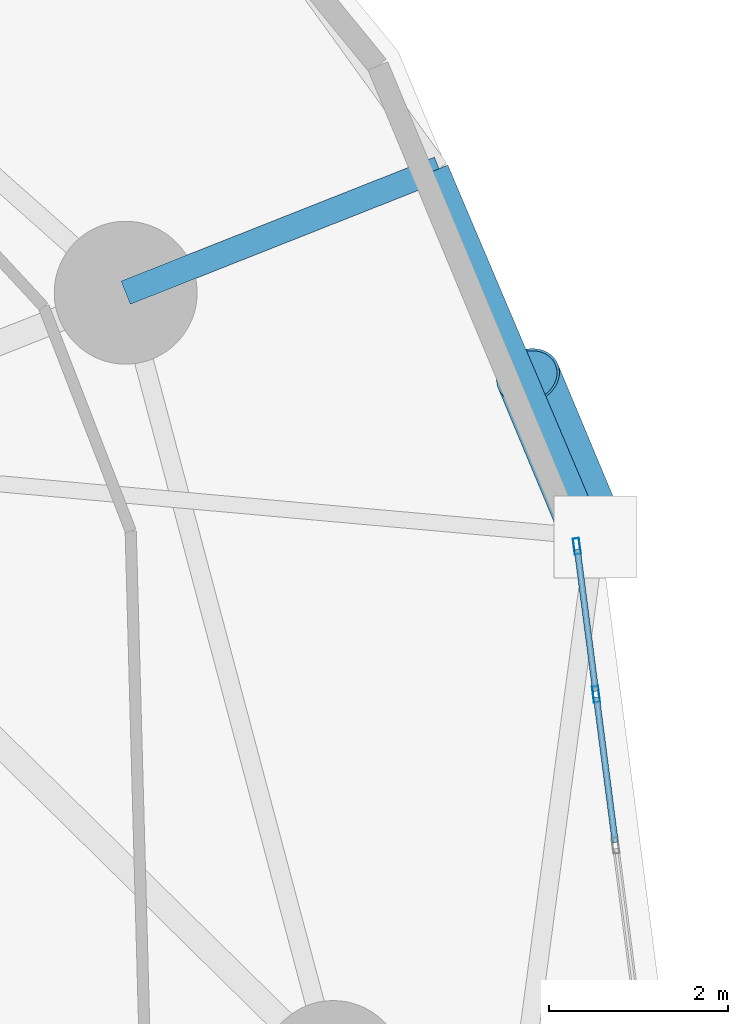
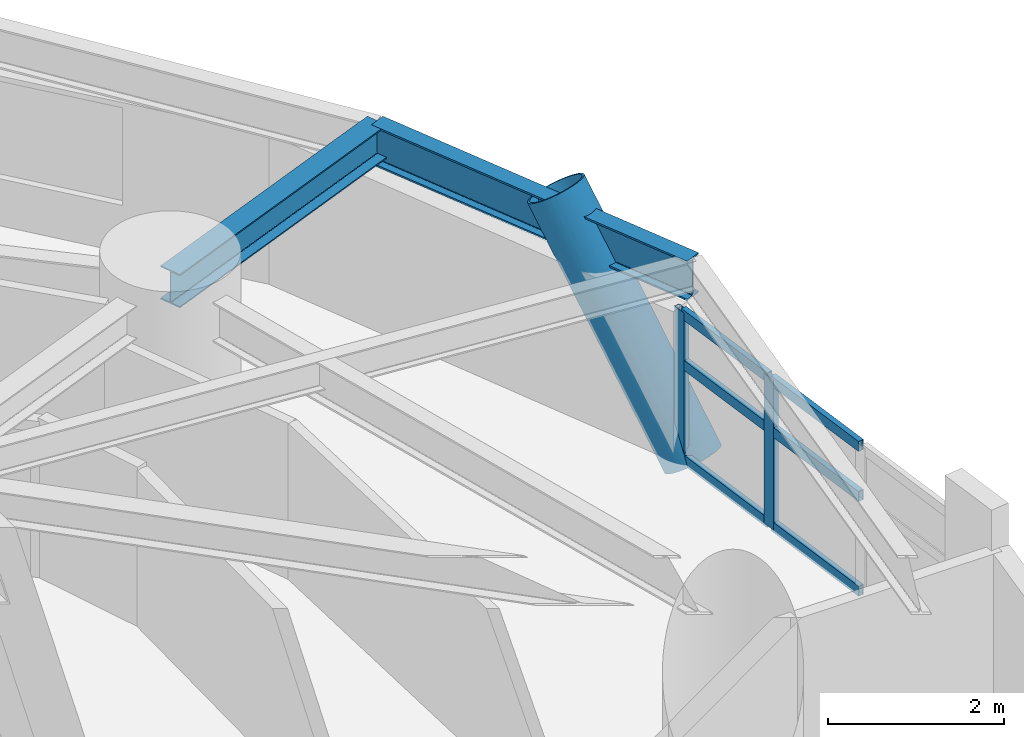
# One storey, part 4 of 18: 9 members, 2 beams, 1 element without a shape of its own.
"""IFC4 building model written with IfcOpenShell, lengths in metres."""

from ifc_helpers import new_model, si_unit, direction, frame, origin, origin_2d, place, context, subcontext, project, spatial, hollow_rectangle, hollow_circle, i_section, extrude, material, layer, layer_set, material_profile, profile_set, type_object, element, aggregate, save


model = new_model("IFC4")

# Units and contexts
model_context = context("Model", 3, precision=1e-05, world=origin(), true_north=direction((0.0, 1.0)))
body_context = subcontext(model_context, "Body", "Model", "MODEL_VIEW")
ifc_project = project(units=[si_unit("LENGTHUNIT", "METRE"), si_unit("AREAUNIT", "SQUARE_METRE"), si_unit("VOLUMEUNIT", "CUBIC_METRE"), si_unit("PLANEANGLEUNIT", "RADIAN"), si_unit("MASSUNIT", "GRAM", prefix="KILO")], contexts=[model_context])

# Site, building, storey
site_placement = place(None, origin())
site = spatial("IfcSite", under=ifc_project, at=site_placement, CompositionType="ELEMENT")
building_placement = place(site_placement, origin())
building = spatial("IfcBuilding", under=site, at=building_placement, Name="Cununo Teusaquillo Station Towers", CompositionType="ELEMENT")
storey_placement = place(building_placement, frame((0.0, 0.0, 56.919921875)))
storey = spatial("IfcBuildingStorey", under=building, at=storey_placement, Name="L17", CompositionType="ELEMENT", Elevation=56.919921875)

# Beams
ifc_material_1 = material(Name="Steel ASTM A572 Grade 50", Category="steel")
ifc_material_profile_1 = material_profile(ifc_material_1, i_section(OverallWidth=0.280029296875, OverallDepth=0.462890625, WebThickness=0.0107421875, FlangeThickness=0.017333984375, FilletRadius=0.013916015625, at=origin_2d()), Name="W18X76")
ifc_profile_set_1 = profile_set([ifc_material_profile_1], Name="Steel ASTM A572 Grade 50")
beam_type_1 = type_object("IfcBeamType", Name="BM-RAD-G1", PredefinedType="BEAM", material=ifc_profile_set_1)
beam_1_placement = place(storey_placement, frame((26.347412109375, 33.228515625, 2.41845703125), z_axis=(0.929871177563, 0.367885298888, 0.0), x_axis=(-0.367885298888, 0.929871177563, 0.0)))
element("IfcBeam", 1, at=beam_1_placement, inside=storey, type_object=beam_type_1, Name="L17 Tower A Perimeter Overhang Girder 02B", PredefinedType="BEAM", context=body_context, shape_type="SweptSolid", body=[
    extrude(i_section(OverallWidth=0.280029296875, OverallDepth=0.462890625, WebThickness=0.0107421875, FlangeThickness=0.017333984375, FilletRadius=0.013916015625, at=origin_2d()), origin(), (0.0, 0.0, 1.0), 3.7734375),
])
ifc_material_2 = material(Name="Steel ASTM A572 Grade 50", Category="steel")
ifc_material_profile_2 = material_profile(ifc_material_2, i_section(OverallWidth=0.214111328125, OverallDepth=0.549072265625, WebThickness=0.0146484375, FlangeThickness=0.023681640625, FilletRadius=0.014892578125, at=origin_2d()), Name="W21X93")
ifc_profile_set_2 = profile_set([ifc_material_profile_2], Name="Steel ASTM A572 Grade 50")
beam_type_2 = type_object("IfcBeamType", Name="BM-RING-Z1", PredefinedType="SPANDREL", material=ifc_profile_set_2)
beam_2_placement = place(storey_placement, frame((31.605712890625, 30.49169921875, 2.37548828125), z_axis=(-0.390457491743, 0.920620957366, 0.0), x_axis=(-0.920620957366, -0.390457491743, 0.0)))
element("IfcBeam", 2, at=beam_2_placement, inside=storey, type_object=beam_type_2, Name="L17 Tower A Spandrel Ring Beam 02", PredefinedType="SPANDREL", context=body_context, shape_type="SweptSolid", body=[
    extrude(i_section(OverallWidth=0.214111328125, OverallDepth=0.549072265625, WebThickness=0.0146484375, FlangeThickness=0.023681640625, FilletRadius=0.014892578125, at=origin_2d()), origin(), (0.0, 0.0, 1.0), 4.480712890625),
])

# Curtain wall, members
ifc_material_3 = material(Name="Operable acoustic tinted low-E double glazing", Category="glass")
ifc_layer = layer(ifc_material_3, 0.179931640625)
ifc_layer_set = layer_set([ifc_layer], Name="Operable acoustic tinted low-E double glazing")
curtain_wall_type = type_object("IfcCurtainWallType", Name="CW-SYS-03", PredefinedType="USERDEFINED", material=ifc_layer_set)
curtain_wall_placement = place(storey_placement, origin())
curtain_wall = element("IfcCurtainWall", 3, at=curtain_wall_placement, inside=storey, type_object=curtain_wall_type, Name="L17 Tower A Facade Curtain Wall C00", ObjectType="OPERABLE GLAZING", PredefinedType="USERDEFINED")
ifc_material_4 = material(Name="Anodised dark bronze aluminium EN AW-6063-T6", Category="aluminium")
ifc_material_profile_3 = material_profile(ifc_material_4, hollow_rectangle(XDim=0.070068359375, YDim=0.179931640625, WallThickness=0.00390625, at=origin_2d()), Name="CW-MULL-70x180")
ifc_profile_set_3 = profile_set([ifc_material_profile_3], Name="Anodised dark bronze aluminium EN AW-6063-T6")
member_type_1 = type_object("IfcMemberType", Name="CWM-180", PredefinedType="MULLION", material=ifc_profile_set_3)
member_1_placement = place(storey_placement, frame((31.40087890625, 30.38916015625, 0.0), z_axis=(0.0, 0.0, 1.0), x_axis=(0.99173073067, 0.128336112783, 0.0)))
member_1 = element("IfcMember", 4, at=member_1_placement, type_object=member_type_1, Name="CW-03 mullion 1", PredefinedType="MULLION", context=body_context, shape_type="SweptSolid", body=[
    extrude(hollow_rectangle(XDim=0.070068359375, YDim=0.179931640625, WallThickness=0.00390625, at=origin_2d()), origin(), (0.0, 0.0, 1.0), 2.072998046875),
])
member_2_placement = place(storey_placement, frame((31.615478515625, 28.730224609375, 0.0), z_axis=(0.0, 0.0, 1.0), x_axis=(0.99173073067, 0.128336112783, 0.0)))
member_2 = element("IfcMember", 5, at=member_2_placement, type_object=member_type_1, Name="CW-03 mullion 2", PredefinedType="MULLION", context=body_context, shape_type="SweptSolid", body=[
    extrude(hollow_rectangle(XDim=0.070068359375, YDim=0.179931640625, WallThickness=0.00390625, at=origin_2d()), origin(), (0.0, 0.0, 1.0), 2.072998046875),
])
ifc_material_5 = material(Name="Anodised dark bronze aluminium EN AW-6063-T6", Category="aluminium")
ifc_material_profile_4 = material_profile(ifc_material_5, hollow_rectangle(XDim=0.070068359375, YDim=0.139892578125, WallThickness=0.00390625, at=origin_2d()), Name="CW-TRAN-70x140")
ifc_profile_set_4 = profile_set([ifc_material_profile_4], Name="Anodised dark bronze aluminium EN AW-6063-T6")
member_type_2 = type_object("IfcMemberType", Name="CWT-140", PredefinedType="USERDEFINED", material=ifc_profile_set_4)
member_3_placement = place(storey_placement, frame((31.4052734375, 30.3544921875, 0.03515625), z_axis=(0.128401455372, -0.991722272745, 0.0), x_axis=(0.991722272745, 0.128401455372, 0.0)))
member_3 = element("IfcMember", 6, at=member_3_placement, type_object=member_type_2, Name="CW-03 transom 1.1", ObjectType="TRANSOM", PredefinedType="USERDEFINED", context=body_context, shape_type="SweptSolid", body=[
    extrude(hollow_rectangle(XDim=0.070068359375, YDim=0.139892578125, WallThickness=0.00390625, at=origin_2d()), origin(), (0.0, 0.0, 1.0), 1.602783203125),
])
member_4_placement = place(storey_placement, frame((31.4052734375, 30.3544921875, 1.34716796875), z_axis=(0.128401455372, -0.991722272745, 0.0), x_axis=(0.991722272745, 0.128401455372, 0.0)))
member_4 = element("IfcMember", 7, at=member_4_placement, type_object=member_type_2, Name="CW-03 transom 1.2", ObjectType="TRANSOM", PredefinedType="USERDEFINED", context=body_context, shape_type="SweptSolid", body=[
    extrude(hollow_rectangle(XDim=0.070068359375, YDim=0.139892578125, WallThickness=0.00390625, at=origin_2d()), origin(), (0.0, 0.0, 1.0), 1.602783203125),
])
member_5_placement = place(storey_placement, frame((31.4052734375, 30.3544921875, 2.0380859375), z_axis=(0.128401455372, -0.991722272745, 0.0), x_axis=(0.991722272745, 0.128401455372, 0.0)))
member_5 = element("IfcMember", 8, at=member_5_placement, type_object=member_type_2, Name="CW-03 transom 1.3", ObjectType="TRANSOM", PredefinedType="USERDEFINED", context=body_context, shape_type="SweptSolid", body=[
    extrude(hollow_rectangle(XDim=0.070068359375, YDim=0.139892578125, WallThickness=0.00390625, at=origin_2d()), origin(), (0.0, 0.0, 1.0), 1.602783203125),
])
member_6_placement = place(storey_placement, frame((31.6201171875, 28.695556640625, 0.03515625), z_axis=(0.128344982832, -0.99172958279, 0.0), x_axis=(0.99172958279, 0.128344982832, 0.0)))
member_6 = element("IfcMember", 9, at=member_6_placement, type_object=member_type_2, Name="CW-03 transom 2.1", ObjectType="TRANSOM", PredefinedType="USERDEFINED", context=body_context, shape_type="SweptSolid", body=[
    extrude(hollow_rectangle(XDim=0.070068359375, YDim=0.139892578125, WallThickness=0.00390625, at=origin_2d()), origin(), (0.0, 0.0, 1.0), 1.6376953125),
])
member_7_placement = place(storey_placement, frame((31.6201171875, 28.695556640625, 1.34716796875), z_axis=(0.128344982832, -0.99172958279, 0.0), x_axis=(0.99172958279, 0.128344982832, 0.0)))
member_7 = element("IfcMember", 10, at=member_7_placement, type_object=member_type_2, Name="CW-03 transom 2.2", ObjectType="TRANSOM", PredefinedType="USERDEFINED", context=body_context, shape_type="SweptSolid", body=[
    extrude(hollow_rectangle(XDim=0.070068359375, YDim=0.139892578125, WallThickness=0.00390625, at=origin_2d()), origin(), (0.0, 0.0, 1.0), 1.6376953125),
])
member_8_placement = place(storey_placement, frame((31.6201171875, 28.695556640625, 2.0380859375), z_axis=(0.128344982832, -0.99172958279, 0.0), x_axis=(0.99172958279, 0.128344982832, 0.0)))
member_8 = element("IfcMember", 11, at=member_8_placement, type_object=member_type_2, Name="CW-03 transom 2.3", ObjectType="TRANSOM", PredefinedType="USERDEFINED", context=body_context, shape_type="SweptSolid", body=[
    extrude(hollow_rectangle(XDim=0.070068359375, YDim=0.139892578125, WallThickness=0.00390625, at=origin_2d()), origin(), (0.0, 0.0, 1.0), 1.6376953125),
])
aggregate(curtain_wall, [member_1, member_2, member_3, member_4, member_5, member_6, member_7, member_8])

# Member
ifc_material_6 = material(Name="Steel EN 10025-2 S355J2", Category="steel")
ifc_material_profile_5 = material_profile(ifc_material_6, hollow_circle(Radius=0.360107421875, WallThickness=0.028076171875, at=origin_2d()), Name="CHS 720x28")
ifc_profile_set_5 = profile_set([ifc_material_profile_5], Name="Steel EN 10025-2 S355J2")
member_type_3 = type_object("IfcMemberType", Name="MBR-DIAG-Z1", PredefinedType="BRACE", material=ifc_profile_set_5)
member_9_placement = place(storey_placement, frame((31.605712890625, 30.49169921875, -0.139892578125), z_axis=(-0.214645581537, 0.514215851129, 0.830366986804), x_axis=(-0.922828895615, -0.385210110742, 0.0)))
element("IfcMember", 12, at=member_9_placement, inside=storey, type_object=member_type_3, Name="L17 Tower A Folded-Zigzag Diagrid Tube C01", PredefinedType="BRACE", context=body_context, shape_type="SweptSolid", body=[
    extrude(hollow_circle(Radius=0.360107421875, WallThickness=0.028076171875, at=origin_2d()), origin(), (0.0, 0.0, 1.0), 3.50439453125),
])

save(model, "model.ifc")
